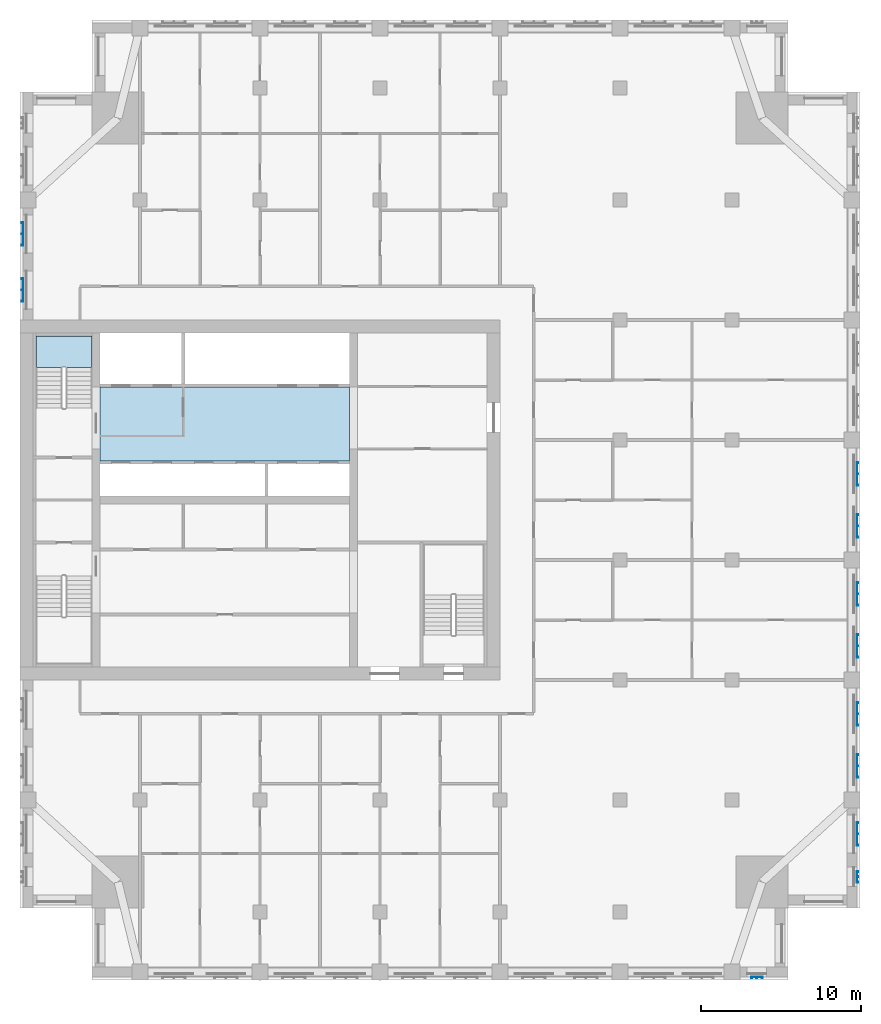
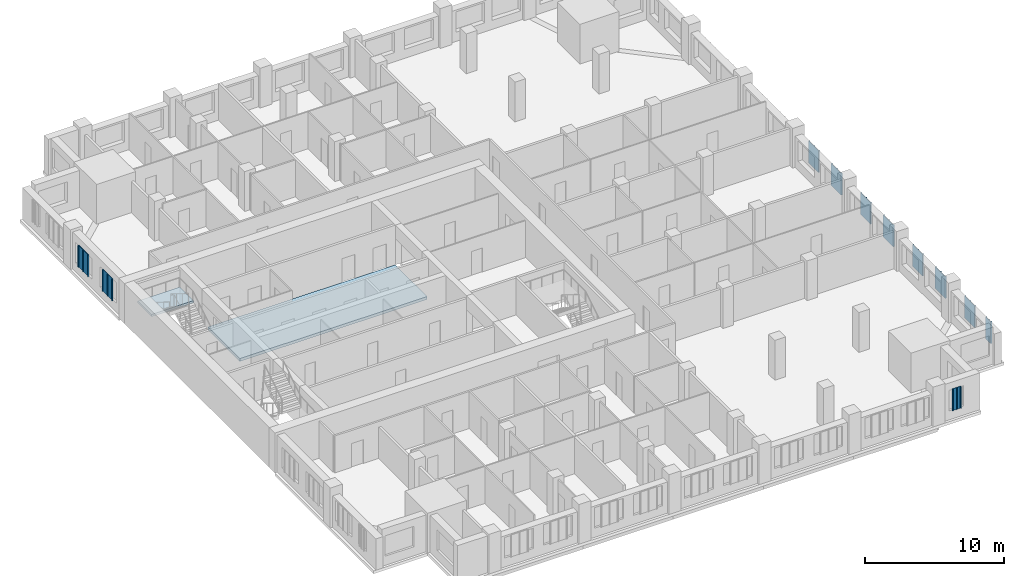
# One storey, part 4 of 14: 11 plates, 2 slabs, 1 element without a shape of its own.
"""IFC4 building model written with IfcOpenShell, lengths in metres."""

import ifcopenshell
import ifcopenshell.guid

model = None  # the IFC model being written
_history = None  # IfcOwnerHistory: only IFC2X3 demands one
_inside = {}  # id of a spatial element -> (the spatial element, [elements in it])
_under = {}  # id of a project, library or spatial element -> (it, [spatial elements below it])
_declared = {}  # id of a project -> (the project, [libraries it declares])
_typed = {}  # id of a type object -> (the type object, [elements of that type])
_made_of = {}  # id of a material, layer set ... -> (it, [elements and type objects made of it])


def new_model(schema):
    """Start an empty IFC model of exactly this schema.

    Asked for "IFC4X3", IfcOpenShell would pick the latest addendum, in which some entities
    have other attributes; the version numbers below select the first issue.
    IFC2X3 requires an IfcOwnerHistory on every rooted entity: one is made here for all.
    """
    global model, _history
    if schema == "IFC4X3":
        model = ifcopenshell.file(schema_version=(4, 3, 0, 0))
    else:
        model = ifcopenshell.file(schema=schema)
    _inside.clear()
    _under.clear()
    _declared.clear()
    _typed.clear()
    _made_of.clear()
    _history = None
    if model.schema == "IFC2X3":
        org = make("IfcOrganization", Name="unknown")
        user = make(
            "IfcPersonAndOrganization",
            ThePerson=make("IfcPerson", FamilyName="unknown"),
            TheOrganization=org,
        )
        app = make(
            "IfcApplication",
            ApplicationDeveloper=org,
            Version="unknown",
            ApplicationFullName="unknown",
            ApplicationIdentifier="unknown",
        )
        _history = make(
            "IfcOwnerHistory",
            OwningUser=user,
            OwningApplication=app,
            ChangeAction="ADDED",
            CreationDate=0,
        )
    return model


def make(cls, **values):
    """One entity of the class cls with the attributes given. An attribute that is None is left unset."""
    return model.create_entity(
        cls, **{name: value for name, value in values.items() if value is not None}
    )


def rooted(cls, **values):
    """An entity with a GlobalId (a new one), such as an element, a storey or a relation."""
    return make(cls, GlobalId=ifcopenshell.guid.new(), OwnerHistory=_history, **values)


def si_unit(unit_type, name, prefix=None):
    """IfcSIUnit, for example si_unit("LENGTHUNIT", "METRE", prefix="MILLI")."""
    return make("IfcSIUnit", UnitType=unit_type, Prefix=prefix, Name=name)


def assignment(units):
    """IfcUnitAssignment: the units of a project."""
    return None if units is None else make("IfcUnitAssignment", Units=units)


def point(xyz):
    """IfcCartesianPoint."""
    return None if xyz is None else make("IfcCartesianPoint", Coordinates=xyz)


def direction(xyz):
    """IfcDirection."""
    return None if xyz is None else make("IfcDirection", DirectionRatios=xyz)


def frame(location, z_axis=None, x_axis=None):
    """IfcAxis2Placement3D, a coordinate frame: its origin and axes. An axis left out is left unset."""
    return make(
        "IfcAxis2Placement3D",
        Location=point(location),
        Axis=direction(z_axis),
        RefDirection=direction(x_axis),
    )


def origin():
    """The frame at (0, 0, 0) with its axes left unset."""
    return frame((0.0, 0.0, 0.0))


def place(relative_to, where):
    """IfcLocalPlacement: puts the frame where relative to a parent placement (None: the world)."""
    return make(
        "IfcLocalPlacement", PlacementRelTo=relative_to, RelativePlacement=where
    )


def context(
    kind, dimensions, precision=None, world=None, true_north=None, identifier=None
):
    """IfcGeometricRepresentationContext, for example the 3D "Model" context."""
    return make(
        "IfcGeometricRepresentationContext",
        ContextIdentifier=identifier,
        ContextType=kind,
        CoordinateSpaceDimension=dimensions,
        Precision=precision,
        WorldCoordinateSystem=world,
        TrueNorth=true_north,
    )


def subcontext(parent, identifier, kind, view, scale=None):
    """IfcGeometricRepresentationSubContext, for example "Body" below "Model"."""
    return make(
        "IfcGeometricRepresentationSubContext",
        ContextIdentifier=identifier,
        ContextType=kind,
        ParentContext=parent,
        TargetScale=scale,
        TargetView=view,
    )


def project(units=None, contexts=None):
    """IfcProject with its units and contexts."""
    return rooted(
        "IfcProject",
        Name="project",
        RepresentationContexts=contexts,
        UnitsInContext=assignment(units),
    )


def spatial(cls, under=None, at=None, **own):
    """A site, building, storey or space (cls), placed at a placement, below another one or the project."""
    s = rooted(cls, ObjectPlacement=at, **own)
    if under is not None:
        _under.setdefault(under.id(), (under, []))[1].append(s)
    return s


def polyline(points):
    """IfcPolyline through the points."""
    return make("IfcPolyline", Points=[point(p) for p in points])


def outline(outer, holes=None, kind="AREA"):
    """IfcArbitraryClosedProfileDef: a profile drawn as a closed curve; with holes, ...WithVoids."""
    if holes is None:
        return make("IfcArbitraryClosedProfileDef", ProfileType=kind, OuterCurve=outer)
    return make(
        "IfcArbitraryProfileDefWithVoids",
        ProfileType=kind,
        OuterCurve=outer,
        InnerCurves=holes,
    )


def extrude(swept, where, along, depth):
    """IfcExtrudedAreaSolid: the profile swept, set in the frame where, extruded along a direction by depth."""
    return make(
        "IfcExtrudedAreaSolid",
        SweptArea=swept,
        Position=where,
        ExtrudedDirection=direction(along),
        Depth=depth,
    )


def shape(context_of_items, identifier, shape_type, items):
    """IfcShapeRepresentation: the items that make up one representation, for example the "Body"."""
    return make(
        "IfcShapeRepresentation",
        ContextOfItems=context_of_items,
        RepresentationIdentifier=identifier,
        RepresentationType=shape_type,
        Items=items,
    )


def material(Name=None, Category=None):
    """IfcMaterial."""
    return make("IfcMaterial", Name=Name, Category=Category)


def layer(
    of_material, thickness, ventilated=None, Name=None, Category=None, Priority=None
):
    """IfcMaterialLayer: one layer of a wall or slab, of a material (None: an air gap)."""
    return make(
        "IfcMaterialLayer",
        Material=of_material,
        LayerThickness=thickness,
        IsVentilated=ventilated,
        Name=Name,
        Category=Category,
        Priority=Priority,
    )


def layer_set(layers, Name=None):
    """IfcMaterialLayerSet."""
    return make("IfcMaterialLayerSet", MaterialLayers=layers, LayerSetName=Name)


def made_of(thing, what):
    """Note that an element or type object is made of a material, layer set ...; save() writes the relation."""
    if what is not None:
        _made_of.setdefault(what.id(), (what, []))[1].append(thing)
    return thing


def type_object(cls, material=None, **own):
    """A type object (cls), such as IfcWallType, which elements share."""
    return made_of(rooted(cls, **own), material)


def element(
    cls,
    number,
    at=None,
    inside=None,
    cuts=None,
    type_object=None,
    material=None,
    context=None,
    identifier="Body",
    shape_type=None,
    held_by="IfcProductDefinitionShape",
    body=None,
    shapes=None,
    **own,
):
    """One element of the class cls, such as IfcWall. Its Tag is "e" and its number.

    at: its placement. inside: the storey or other place that contains it. cuts: it is an
    opening in that element (IfcRelVoidsElement). A single representation is given by context,
    identifier, shape_type and body (its items); several are given by shapes. held_by: the class
    of the entity that holds the representations. save() writes the other relations.
    """
    e = rooted(cls, Tag="e%d" % number, ObjectPlacement=at, **own)
    if body is not None:
        shapes = [shape(context, identifier, shape_type, body)]
    if shapes is not None:
        e.Representation = make(held_by, Representations=shapes)
    if inside is not None:
        _inside.setdefault(inside.id(), (inside, []))[1].append(e)
    if cuts is not None:
        rooted(
            "IfcRelVoidsElement", RelatingBuildingElement=cuts, RelatedOpeningElement=e
        )
    if type_object is not None:
        _typed.setdefault(type_object.id(), (type_object, []))[1].append(e)
    return made_of(e, material)


def aggregate(whole, parts):
    """IfcRelAggregates: a whole, such as a stair, and the parts it consists of."""
    return rooted("IfcRelAggregates", RelatingObject=whole, RelatedObjects=parts)


def save(model, path):
    """Write the relations noted so far, then the file.

    IfcRelAggregates (storeys below a building ...), IfcRelContainedInSpatialStructure (elements
    in a storey), IfcRelDefinesByType, IfcRelAssociatesMaterial and IfcRelDeclares: one each for
    every whole, place, type object, material and project.
    """
    for whole, parts in _under.values():
        aggregate(whole, parts)
    for where, things in _inside.values():
        rooted(
            "IfcRelContainedInSpatialStructure",
            RelatedElements=things,
            RelatingStructure=where,
        )
    for kind, things in _typed.values():
        rooted("IfcRelDefinesByType", RelatedObjects=things, RelatingType=kind)
    for what, things in _made_of.values():
        rooted("IfcRelAssociatesMaterial", RelatedObjects=things, RelatingMaterial=what)
    for by, libraries in _declared.values():
        rooted("IfcRelDeclares", RelatingContext=by, RelatedDefinitions=libraries)
    model.write(path)


model = new_model("IFC4")

# Units and contexts
model_context = context("Model", 3, precision=1e-05, world=origin(), true_north=direction((0.0, 1.0)))
body_context = subcontext(model_context, "Body", "Model", "MODEL_VIEW")
ifc_project = project(units=[si_unit("LENGTHUNIT", "METRE"), si_unit("AREAUNIT", "SQUARE_METRE"), si_unit("VOLUMEUNIT", "CUBIC_METRE"), si_unit("PLANEANGLEUNIT", "RADIAN"), si_unit("MASSUNIT", "GRAM", prefix="KILO")], contexts=[model_context])

# Site, building, storey
site_placement = place(None, origin())
site = spatial("IfcSite", under=ifc_project, at=site_placement, CompositionType="ELEMENT")
building_placement = place(site_placement, origin())
building = spatial("IfcBuilding", under=site, at=building_placement, Name="Tamorin Gate", CompositionType="ELEMENT")
storey_placement = place(building_placement, frame((0.0, 0.0, 196.699951171875)))
storey = spatial("IfcBuildingStorey", under=building, at=storey_placement, Name="L48", CompositionType="ELEMENT", Elevation=196.699951171875)

# Slab
ifc_material_1 = material(Name="Concrete C40/50", Category="concrete")
ifc_layer_1 = layer(ifc_material_1, 0.25)
ifc_layer_set_1 = layer_set([ifc_layer_1], Name="Core floor slab 250 C40/50")
slab_type_1 = type_object("IfcSlabType", Name="Core floor slab 250 C40/50", PredefinedType="FLOOR", material=ifc_layer_set_1)
slab_1_placement = place(storey_placement, frame((0.0, 0.0, -0.25)))
element("IfcSlab", 1, at=slab_1_placement, inside=storey, type_object=slab_type_1, Name="Core floor L48", PredefinedType="FLOOR", context=body_context, shape_type="SweptSolid", body=[
    extrude(outline(polyline([(50.60009765625, 73.699951171875), (35.0, 73.699951171875), (35.0, 78.300048828125), (50.60009765625, 78.300048828125), (50.60009765625, 73.699951171875)])), origin(), (0.0, 0.0, 1.0), 0.25),
])

# Stair, slab
stair_type = type_object("IfcStairType", Name="Exit stair", PredefinedType="HALF_TURN_STAIR", material=ifc_material_1)
stair_placement = place(storey_placement, origin())
stair = element("IfcStair", 2, at=stair_placement, inside=storey, type_object=stair_type, Name="L48 stair ST2", PredefinedType="HALF_TURN_STAIR")
ifc_layer_2 = layer(ifc_material_1, 0.199951171875)
ifc_layer_set_2 = layer_set([ifc_layer_2], Name="Exit stair landing 200")
slab_type_2 = type_object("IfcSlabType", Name="Exit stair landing 200", PredefinedType="LANDING", material=ifc_layer_set_2)
slab_2_placement = place(storey_placement, frame((0.0, 0.0, 1.550048828125)))
slab_2 = element("IfcSlab", 3, at=slab_2_placement, type_object=slab_type_2, Name="ST2 landing 1", PredefinedType="LANDING", context=body_context, shape_type="SweptSolid", body=[
    extrude(outline(polyline([(34.5, 79.52001953125), (34.5, 81.5), (31.0, 81.5), (31.0, 79.52001953125), (34.5, 79.52001953125)])), origin(), (0.0, 0.0, 1.0), 0.199951171875),
])
aggregate(stair, [slab_2])

# Plates
ifc_material_2 = material(Name="Perforated pale aluminium sheet", Category="aluminium")
ifc_layer_3 = layer(ifc_material_2, 0.0400390625)
ifc_layer_set_3 = layer_set([ifc_layer_3], Name="Pale metal solar screen 1440")
plate_type_1 = type_object("IfcPlateType", Name="Pale metal solar screen 1440", PredefinedType="SHEET", material=ifc_layer_set_3)
plate_1_placement = place(storey_placement, frame((0.0, 0.0, 0.737548828125)))
element("IfcPlate", 4, at=plate_1_placement, inside=storey, type_object=plate_type_1, Name="Perforated solar screen", PredefinedType="SHEET", context=body_context, shape_type="SweptSolid", body=[
    extrude(outline(polyline([(82.340087890625, 49.655029296875), (82.300048828125, 49.655029296875), (82.300048828125, 49.715087890625), (82.300048828125, 50.344970703125), (82.300048828125, 50.405029296875), (82.300048828125, 51.034912109375), (82.300048828125, 51.094970703125), (82.300048828125, 51.094970703125), (82.340087890625, 51.094970703125), (82.340087890625, 51.094970703125), (82.39990234375, 51.094970703125), (82.39990234375, 51.034912109375), (82.340087890625, 51.034912109375), (82.340087890625, 50.405029296875), (82.39990234375, 50.405029296875), (82.39990234375, 50.344970703125), (82.340087890625, 50.344970703125), (82.340087890625, 49.715087890625), (82.39990234375, 49.715087890625), (82.39990234375, 49.655029296875), (82.340087890625, 49.655029296875)])), origin(), (0.0, 0.0, 1.0), 1.925048828125),
])
plate_2_placement = place(storey_placement, frame((0.0, 0.0, 0.737548828125)))
element("IfcPlate", 5, at=plate_2_placement, inside=storey, type_object=plate_type_1, Name="Perforated solar screen", PredefinedType="SHEET", context=body_context, shape_type="SweptSolid", body=[
    extrude(outline(polyline([(82.340087890625, 53.905029296875), (82.300048828125, 53.905029296875), (82.300048828125, 53.965087890625), (82.300048828125, 54.594970703125), (82.300048828125, 54.655029296875), (82.300048828125, 55.284912109375), (82.300048828125, 55.344970703125), (82.340087890625, 55.344970703125), (82.39990234375, 55.344970703125), (82.39990234375, 55.284912109375), (82.340087890625, 55.284912109375), (82.340087890625, 54.655029296875), (82.39990234375, 54.655029296875), (82.39990234375, 54.594970703125), (82.340087890625, 54.594970703125), (82.340087890625, 53.965087890625), (82.39990234375, 53.965087890625), (82.39990234375, 53.905029296875), (82.340087890625, 53.905029296875)])), origin(), (0.0, 0.0, 1.0), 1.925048828125),
])
plate_3_placement = place(storey_placement, frame((0.0, 0.0, 0.737548828125)))
element("IfcPlate", 6, at=plate_3_placement, inside=storey, type_object=plate_type_1, Name="Perforated solar screen", PredefinedType="SHEET", context=body_context, shape_type="SweptSolid", body=[
    extrude(outline(polyline([(82.340087890625, 57.155029296875), (82.300048828125, 57.155029296875), (82.300048828125, 57.215087890625), (82.300048828125, 57.844970703125), (82.300048828125, 57.905029296875), (82.300048828125, 58.534912109375), (82.300048828125, 58.594970703125), (82.340087890625, 58.594970703125), (82.39990234375, 58.594970703125), (82.39990234375, 58.534912109375), (82.340087890625, 58.534912109375), (82.340087890625, 57.905029296875), (82.39990234375, 57.905029296875), (82.39990234375, 57.844970703125), (82.340087890625, 57.844970703125), (82.340087890625, 57.215087890625), (82.39990234375, 57.215087890625), (82.39990234375, 57.155029296875), (82.340087890625, 57.155029296875)])), origin(), (0.0, 0.0, 1.0), 1.925048828125),
])
plate_4_placement = place(storey_placement, frame((0.0, 0.0, 0.737548828125)))
element("IfcPlate", 7, at=plate_4_placement, inside=storey, type_object=plate_type_1, Name="Perforated solar screen", PredefinedType="SHEET", context=body_context, shape_type="SweptSolid", body=[
    extrude(outline(polyline([(82.340087890625, 61.405029296875), (82.300048828125, 61.405029296875), (82.300048828125, 61.465087890625), (82.300048828125, 62.094970703125), (82.300048828125, 62.155029296875), (82.300048828125, 62.784912109375), (82.300048828125, 62.844970703125), (82.340087890625, 62.844970703125), (82.39990234375, 62.844970703125), (82.39990234375, 62.784912109375), (82.340087890625, 62.784912109375), (82.340087890625, 62.155029296875), (82.39990234375, 62.155029296875), (82.39990234375, 62.094970703125), (82.340087890625, 62.094970703125), (82.340087890625, 61.465087890625), (82.39990234375, 61.465087890625), (82.39990234375, 61.405029296875), (82.340087890625, 61.405029296875)])), origin(), (0.0, 0.0, 1.0), 1.925048828125),
])
plate_5_placement = place(storey_placement, frame((0.0, 0.0, 0.737548828125)))
element("IfcPlate", 8, at=plate_5_placement, inside=storey, type_object=plate_type_1, Name="Perforated solar screen", PredefinedType="SHEET", context=body_context, shape_type="SweptSolid", body=[
    extrude(outline(polyline([(82.340087890625, 64.655029296875), (82.300048828125, 64.655029296875), (82.300048828125, 64.715087890625), (82.300048828125, 65.344970703125), (82.300048828125, 65.405029296875), (82.300048828125, 66.034912109375), (82.300048828125, 66.094970703125), (82.340087890625, 66.094970703125), (82.39990234375, 66.094970703125), (82.39990234375, 66.034912109375), (82.340087890625, 66.034912109375), (82.340087890625, 65.405029296875), (82.39990234375, 65.405029296875), (82.39990234375, 65.344970703125), (82.340087890625, 65.344970703125), (82.340087890625, 64.715087890625), (82.39990234375, 64.715087890625), (82.39990234375, 64.655029296875), (82.340087890625, 64.655029296875)])), origin(), (0.0, 0.0, 1.0), 1.925048828125),
])
plate_6_placement = place(storey_placement, frame((0.0, 0.0, 0.737548828125)))
element("IfcPlate", 9, at=plate_6_placement, inside=storey, type_object=plate_type_1, Name="Perforated solar screen", PredefinedType="SHEET", context=body_context, shape_type="SweptSolid", body=[
    extrude(outline(polyline([(82.340087890625, 68.905029296875), (82.300048828125, 68.905029296875), (82.300048828125, 68.965087890625), (82.300048828125, 69.594970703125), (82.300048828125, 69.655029296875), (82.300048828125, 70.284912109375), (82.300048828125, 70.344970703125), (82.340087890625, 70.344970703125), (82.39990234375, 70.344970703125), (82.39990234375, 70.284912109375), (82.340087890625, 70.284912109375), (82.340087890625, 69.655029296875), (82.39990234375, 69.655029296875), (82.39990234375, 69.594970703125), (82.340087890625, 69.594970703125), (82.340087890625, 68.965087890625), (82.39990234375, 68.965087890625), (82.39990234375, 68.905029296875), (82.340087890625, 68.905029296875)])), origin(), (0.0, 0.0, 1.0), 1.925048828125),
])
plate_7_placement = place(storey_placement, frame((0.0, 0.0, 0.737548828125)))
element("IfcPlate", 10, at=plate_7_placement, inside=storey, type_object=plate_type_1, Name="Perforated solar screen", PredefinedType="SHEET", context=body_context, shape_type="SweptSolid", body=[
    extrude(outline(polyline([(82.340087890625, 72.155029296875), (82.300048828125, 72.155029296875), (82.300048828125, 72.215087890625), (82.300048828125, 72.844970703125), (82.300048828125, 72.905029296875), (82.300048828125, 73.534912109375), (82.300048828125, 73.594970703125), (82.340087890625, 73.594970703125), (82.39990234375, 73.594970703125), (82.39990234375, 73.534912109375), (82.340087890625, 73.534912109375), (82.340087890625, 72.905029296875), (82.39990234375, 72.905029296875), (82.39990234375, 72.844970703125), (82.340087890625, 72.844970703125), (82.340087890625, 72.215087890625), (82.39990234375, 72.215087890625), (82.39990234375, 72.155029296875), (82.340087890625, 72.155029296875)])), origin(), (0.0, 0.0, 1.0), 1.925048828125),
])
plate_8_placement = place(storey_placement, frame((0.0, 0.0, 0.737548828125)))
element("IfcPlate", 11, at=plate_8_placement, inside=storey, type_object=plate_type_1, Name="Perforated solar screen", PredefinedType="SHEET", context=body_context, shape_type="SweptSolid", body=[
    extrude(outline(polyline([(30.159912109375, 85.094970703125), (30.199951171875, 85.094970703125), (30.199951171875, 85.034912109375), (30.199951171875, 84.405029296875), (30.199951171875, 84.344970703125), (30.199951171875, 83.715087890625), (30.199951171875, 83.655029296875), (30.159912109375, 83.655029296875), (30.10009765625, 83.655029296875), (30.10009765625, 83.715087890625), (30.159912109375, 83.715087890625), (30.159912109375, 84.344970703125), (30.10009765625, 84.344970703125), (30.10009765625, 84.405029296875), (30.159912109375, 84.405029296875), (30.159912109375, 85.034912109375), (30.10009765625, 85.034912109375), (30.10009765625, 85.094970703125), (30.159912109375, 85.094970703125)])), origin(), (0.0, 0.0, 1.0), 1.925048828125),
])
plate_9_placement = place(storey_placement, frame((0.0, 0.0, 0.737548828125)))
element("IfcPlate", 12, at=plate_9_placement, inside=storey, type_object=plate_type_1, Name="Perforated solar screen", PredefinedType="SHEET", context=body_context, shape_type="SweptSolid", body=[
    extrude(outline(polyline([(30.159912109375, 88.594970703125), (30.199951171875, 88.594970703125), (30.199951171875, 88.534912109375), (30.199951171875, 87.905029296875), (30.199951171875, 87.844970703125), (30.199951171875, 87.215087890625), (30.199951171875, 87.155029296875), (30.159912109375, 87.155029296875), (30.10009765625, 87.155029296875), (30.10009765625, 87.215087890625), (30.159912109375, 87.215087890625), (30.159912109375, 87.844970703125), (30.10009765625, 87.844970703125), (30.10009765625, 87.905029296875), (30.159912109375, 87.905029296875), (30.159912109375, 88.534912109375), (30.10009765625, 88.534912109375), (30.10009765625, 88.594970703125), (30.159912109375, 88.594970703125)])), origin(), (0.0, 0.0, 1.0), 1.925048828125),
])
ifc_layer_4 = layer(ifc_material_2, 0.0400390625)
ifc_layer_set_4 = layer_set([ifc_layer_4], Name="Pale metal solar screen 720")
plate_type_2 = type_object("IfcPlateType", Name="Pale metal solar screen 720", PredefinedType="SHEET", material=ifc_layer_set_4)
plate_10_placement = place(storey_placement, frame((0.0, 0.0, 0.737548828125)))
element("IfcPlate", 13, at=plate_10_placement, inside=storey, type_object=plate_type_2, Name="Perforated solar screen", PredefinedType="SHEET", context=body_context, shape_type="SweptSolid", body=[
    extrude(outline(polyline([(75.68994140625, 41.409912109375), (75.68994140625, 41.449951171875), (75.75, 41.449951171875), (76.02001953125, 41.449951171875), (76.080078125, 41.449951171875), (76.35009765625, 41.449951171875), (76.409912109375, 41.449951171875), (76.409912109375, 41.409912109375), (76.409912109375, 41.35009765625), (76.35009765625, 41.35009765625), (76.35009765625, 41.409912109375), (76.080078125, 41.409912109375), (76.080078125, 41.35009765625), (76.02001953125, 41.35009765625), (76.02001953125, 41.409912109375), (75.75, 41.409912109375), (75.75, 41.35009765625), (75.68994140625, 41.35009765625), (75.68994140625, 41.409912109375)])), origin(), (0.0, 0.0, 1.0), 1.925048828125),
])
plate_11_placement = place(storey_placement, frame((0.0, 0.0, 0.737548828125)))
element("IfcPlate", 14, at=plate_11_placement, inside=storey, type_object=plate_type_2, Name="Perforated solar screen", PredefinedType="SHEET", context=body_context, shape_type="SweptSolid", body=[
    extrude(outline(polyline([(82.340087890625, 47.340087890625), (82.300048828125, 47.340087890625), (82.300048828125, 47.39990234375), (82.300048828125, 47.669921875), (82.300048828125, 47.72998046875), (82.300048828125, 48.0), (82.300048828125, 48.06005859375), (82.340087890625, 48.06005859375), (82.39990234375, 48.06005859375), (82.39990234375, 48.0), (82.340087890625, 48.0), (82.340087890625, 47.72998046875), (82.39990234375, 47.72998046875), (82.39990234375, 47.669921875), (82.340087890625, 47.669921875), (82.340087890625, 47.39990234375), (82.39990234375, 47.39990234375), (82.39990234375, 47.340087890625), (82.340087890625, 47.340087890625)])), origin(), (0.0, 0.0, 1.0), 1.925048828125),
])

save(model, "model.ifc")
